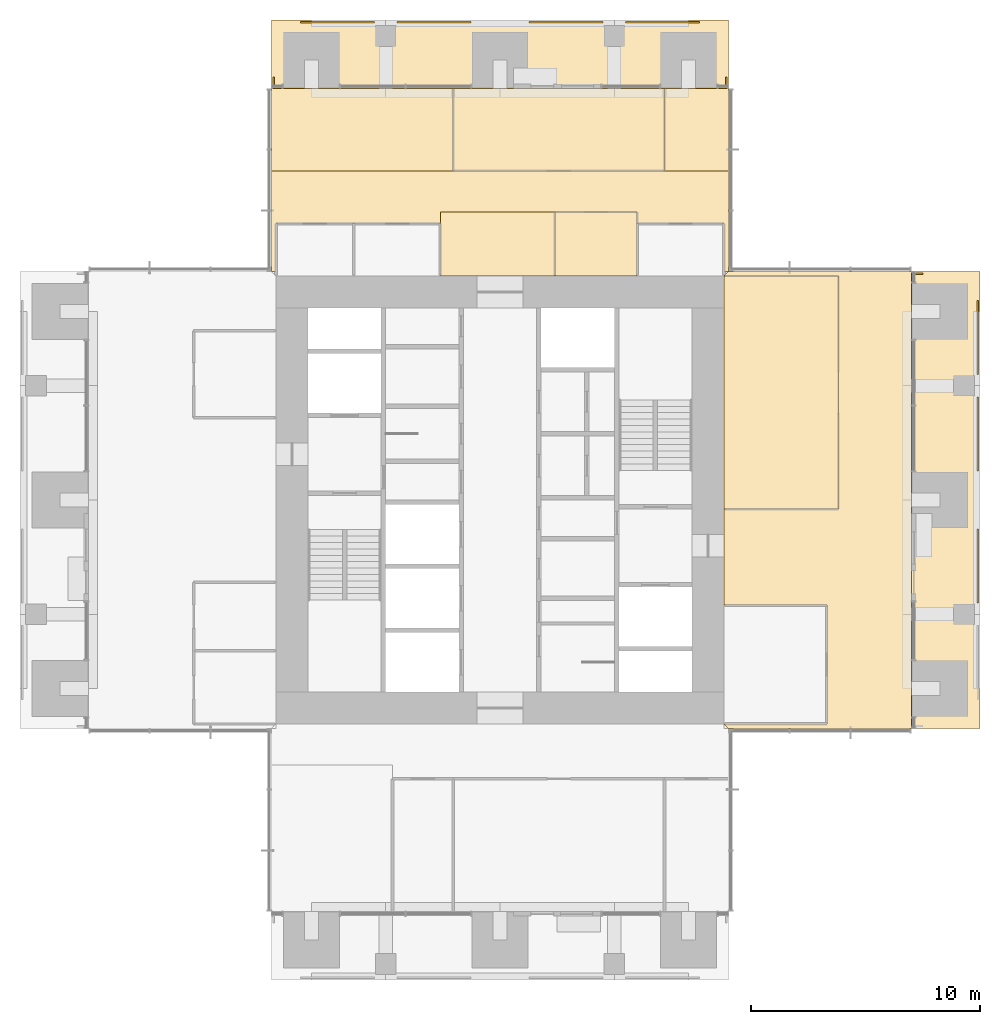
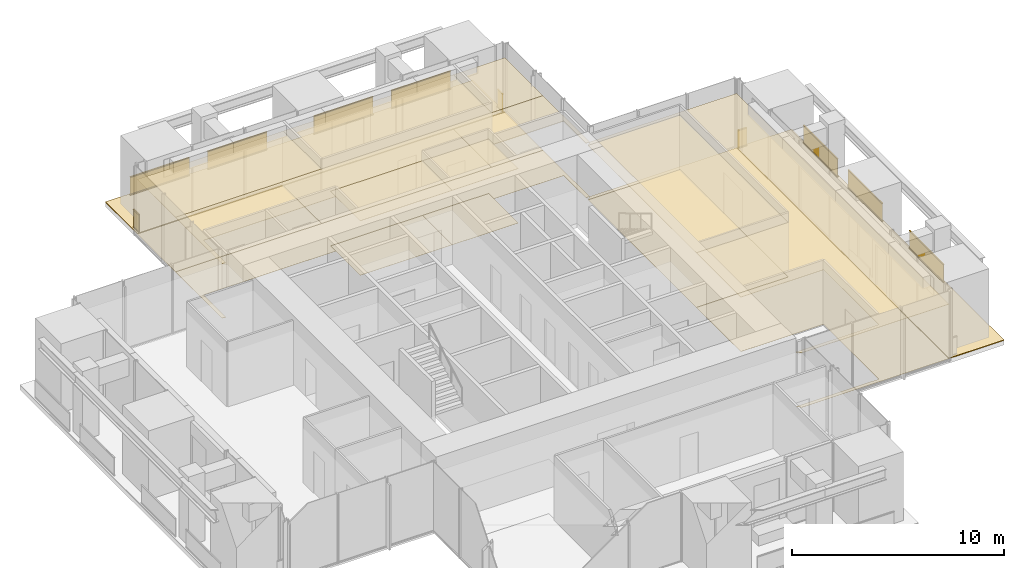
# One storey, part 16 of 17: 18 coverings, 10 railings.
"""IFC4 building model written with IfcOpenShell, lengths in metres."""

import ifcopenshell
import ifcopenshell.guid

model = None  # the IFC model being written
_history = None  # IfcOwnerHistory: only IFC2X3 demands one
_inside = {}  # id of a spatial element -> (the spatial element, [elements in it])
_under = {}  # id of a project, library or spatial element -> (it, [spatial elements below it])
_declared = {}  # id of a project -> (the project, [libraries it declares])
_typed = {}  # id of a type object -> (the type object, [elements of that type])
_made_of = {}  # id of a material, layer set ... -> (it, [elements and type objects made of it])


def new_model(schema):
    """Start an empty IFC model of exactly this schema.

    Asked for "IFC4X3", IfcOpenShell would pick the latest addendum, in which some entities
    have other attributes; the version numbers below select the first issue.
    IFC2X3 requires an IfcOwnerHistory on every rooted entity: one is made here for all.
    """
    global model, _history
    if schema == "IFC4X3":
        model = ifcopenshell.file(schema_version=(4, 3, 0, 0))
    else:
        model = ifcopenshell.file(schema=schema)
    _inside.clear()
    _under.clear()
    _declared.clear()
    _typed.clear()
    _made_of.clear()
    _history = None
    if model.schema == "IFC2X3":
        org = make("IfcOrganization", Name="unknown")
        user = make(
            "IfcPersonAndOrganization",
            ThePerson=make("IfcPerson", FamilyName="unknown"),
            TheOrganization=org,
        )
        app = make(
            "IfcApplication",
            ApplicationDeveloper=org,
            Version="unknown",
            ApplicationFullName="unknown",
            ApplicationIdentifier="unknown",
        )
        _history = make(
            "IfcOwnerHistory",
            OwningUser=user,
            OwningApplication=app,
            ChangeAction="ADDED",
            CreationDate=0,
        )
    return model


def make(cls, **values):
    """One entity of the class cls with the attributes given. An attribute that is None is left unset."""
    return model.create_entity(
        cls, **{name: value for name, value in values.items() if value is not None}
    )


def rooted(cls, **values):
    """An entity with a GlobalId (a new one), such as an element, a storey or a relation."""
    return make(cls, GlobalId=ifcopenshell.guid.new(), OwnerHistory=_history, **values)


def si_unit(unit_type, name, prefix=None):
    """IfcSIUnit, for example si_unit("LENGTHUNIT", "METRE", prefix="MILLI")."""
    return make("IfcSIUnit", UnitType=unit_type, Prefix=prefix, Name=name)


def assignment(units):
    """IfcUnitAssignment: the units of a project."""
    return None if units is None else make("IfcUnitAssignment", Units=units)


def point(xyz):
    """IfcCartesianPoint."""
    return None if xyz is None else make("IfcCartesianPoint", Coordinates=xyz)


def direction(xyz):
    """IfcDirection."""
    return None if xyz is None else make("IfcDirection", DirectionRatios=xyz)


def frame(location, z_axis=None, x_axis=None):
    """IfcAxis2Placement3D, a coordinate frame: its origin and axes. An axis left out is left unset."""
    return make(
        "IfcAxis2Placement3D",
        Location=point(location),
        Axis=direction(z_axis),
        RefDirection=direction(x_axis),
    )


def frame_2d(location, x_axis=None):
    """IfcAxis2Placement2D, a coordinate frame in the plane: its origin and x axis."""
    return make(
        "IfcAxis2Placement2D", Location=point(location), RefDirection=direction(x_axis)
    )


def origin():
    """The frame at (0, 0, 0) with its axes left unset."""
    return frame((0.0, 0.0, 0.0))


def origin_2d():
    """The frame at (0, 0) in the plane with its x axis left unset."""
    return frame_2d((0.0, 0.0))


def place(relative_to, where):
    """IfcLocalPlacement: puts the frame where relative to a parent placement (None: the world)."""
    return make(
        "IfcLocalPlacement", PlacementRelTo=relative_to, RelativePlacement=where
    )


def context(
    kind, dimensions, precision=None, world=None, true_north=None, identifier=None
):
    """IfcGeometricRepresentationContext, for example the 3D "Model" context."""
    return make(
        "IfcGeometricRepresentationContext",
        ContextIdentifier=identifier,
        ContextType=kind,
        CoordinateSpaceDimension=dimensions,
        Precision=precision,
        WorldCoordinateSystem=world,
        TrueNorth=true_north,
    )


def subcontext(parent, identifier, kind, view, scale=None):
    """IfcGeometricRepresentationSubContext, for example "Body" below "Model"."""
    return make(
        "IfcGeometricRepresentationSubContext",
        ContextIdentifier=identifier,
        ContextType=kind,
        ParentContext=parent,
        TargetScale=scale,
        TargetView=view,
    )


def project(units=None, contexts=None):
    """IfcProject with its units and contexts."""
    return rooted(
        "IfcProject",
        Name="project",
        RepresentationContexts=contexts,
        UnitsInContext=assignment(units),
    )


def spatial(cls, under=None, at=None, **own):
    """A site, building, storey or space (cls), placed at a placement, below another one or the project."""
    s = rooted(cls, ObjectPlacement=at, **own)
    if under is not None:
        _under.setdefault(under.id(), (under, []))[1].append(s)
    return s


def polyline(points):
    """IfcPolyline through the points."""
    return make("IfcPolyline", Points=[point(p) for p in points])


def profile(cls, at=None, kind="AREA", **sizes):
    """A parametric profile (cls). Its sizes go by their IFC names, for example OverallWidth=200.0."""
    return make(cls, ProfileType=kind, Position=at, **sizes)


def rectangle(**sizes):
    """IfcRectangleProfileDef."""
    return profile("IfcRectangleProfileDef", **sizes)


def outline(outer, holes=None, kind="AREA"):
    """IfcArbitraryClosedProfileDef: a profile drawn as a closed curve; with holes, ...WithVoids."""
    if holes is None:
        return make("IfcArbitraryClosedProfileDef", ProfileType=kind, OuterCurve=outer)
    return make(
        "IfcArbitraryProfileDefWithVoids",
        ProfileType=kind,
        OuterCurve=outer,
        InnerCurves=holes,
    )


def extrude(swept, where, along, depth):
    """IfcExtrudedAreaSolid: the profile swept, set in the frame where, extruded along a direction by depth."""
    return make(
        "IfcExtrudedAreaSolid",
        SweptArea=swept,
        Position=where,
        ExtrudedDirection=direction(along),
        Depth=depth,
    )


def shape(context_of_items, identifier, shape_type, items):
    """IfcShapeRepresentation: the items that make up one representation, for example the "Body"."""
    return make(
        "IfcShapeRepresentation",
        ContextOfItems=context_of_items,
        RepresentationIdentifier=identifier,
        RepresentationType=shape_type,
        Items=items,
    )


def material(Name=None, Category=None):
    """IfcMaterial."""
    return make("IfcMaterial", Name=Name, Category=Category)


def layer(
    of_material, thickness, ventilated=None, Name=None, Category=None, Priority=None
):
    """IfcMaterialLayer: one layer of a wall or slab, of a material (None: an air gap)."""
    return make(
        "IfcMaterialLayer",
        Material=of_material,
        LayerThickness=thickness,
        IsVentilated=ventilated,
        Name=Name,
        Category=Category,
        Priority=Priority,
    )


def layer_set(layers, Name=None):
    """IfcMaterialLayerSet."""
    return make("IfcMaterialLayerSet", MaterialLayers=layers, LayerSetName=Name)


def made_of(thing, what):
    """Note that an element or type object is made of a material, layer set ...; save() writes the relation."""
    if what is not None:
        _made_of.setdefault(what.id(), (what, []))[1].append(thing)
    return thing


def type_object(cls, material=None, **own):
    """A type object (cls), such as IfcWallType, which elements share."""
    return made_of(rooted(cls, **own), material)


def element(
    cls,
    number,
    at=None,
    inside=None,
    cuts=None,
    type_object=None,
    material=None,
    context=None,
    identifier="Body",
    shape_type=None,
    held_by="IfcProductDefinitionShape",
    body=None,
    shapes=None,
    **own,
):
    """One element of the class cls, such as IfcWall. Its Tag is "e" and its number.

    at: its placement. inside: the storey or other place that contains it. cuts: it is an
    opening in that element (IfcRelVoidsElement). A single representation is given by context,
    identifier, shape_type and body (its items); several are given by shapes. held_by: the class
    of the entity that holds the representations. save() writes the other relations.
    """
    e = rooted(cls, Tag="e%d" % number, ObjectPlacement=at, **own)
    if body is not None:
        shapes = [shape(context, identifier, shape_type, body)]
    if shapes is not None:
        e.Representation = make(held_by, Representations=shapes)
    if inside is not None:
        _inside.setdefault(inside.id(), (inside, []))[1].append(e)
    if cuts is not None:
        rooted(
            "IfcRelVoidsElement", RelatingBuildingElement=cuts, RelatedOpeningElement=e
        )
    if type_object is not None:
        _typed.setdefault(type_object.id(), (type_object, []))[1].append(e)
    return made_of(e, material)


def aggregate(whole, parts):
    """IfcRelAggregates: a whole, such as a stair, and the parts it consists of."""
    return rooted("IfcRelAggregates", RelatingObject=whole, RelatedObjects=parts)


def save(model, path):
    """Write the relations noted so far, then the file.

    IfcRelAggregates (storeys below a building ...), IfcRelContainedInSpatialStructure (elements
    in a storey), IfcRelDefinesByType, IfcRelAssociatesMaterial and IfcRelDeclares: one each for
    every whole, place, type object, material and project.
    """
    for whole, parts in _under.values():
        aggregate(whole, parts)
    for where, things in _inside.values():
        rooted(
            "IfcRelContainedInSpatialStructure",
            RelatedElements=things,
            RelatingStructure=where,
        )
    for kind, things in _typed.values():
        rooted("IfcRelDefinesByType", RelatedObjects=things, RelatingType=kind)
    for what, things in _made_of.values():
        rooted("IfcRelAssociatesMaterial", RelatedObjects=things, RelatingMaterial=what)
    for by, libraries in _declared.values():
        rooted("IfcRelDeclares", RelatingContext=by, RelatedDefinitions=libraries)
    model.write(path)


model = new_model("IFC4")

# Units and contexts
model_context = context("Model", 3, precision=1e-05, world=origin(), true_north=direction((0.0, 1.0)))
body_context = subcontext(model_context, "Body", "Model", "MODEL_VIEW")
ifc_project = project(units=[si_unit("LENGTHUNIT", "METRE"), si_unit("AREAUNIT", "SQUARE_METRE"), si_unit("VOLUMEUNIT", "CUBIC_METRE"), si_unit("PLANEANGLEUNIT", "RADIAN"), si_unit("MASSUNIT", "GRAM", prefix="KILO")], contexts=[model_context])

# Site, building, storey
site_placement = place(None, origin())
site = spatial("IfcSite", under=ifc_project, at=site_placement, CompositionType="ELEMENT")
building_placement = place(site_placement, origin())
building = spatial("IfcBuilding", under=site, at=building_placement, Name="Svetlomir Tower", CompositionType="ELEMENT")
storey_placement = place(building_placement, frame((0.0, 0.0, 218.5)))
storey = spatial("IfcBuildingStorey", under=building, at=storey_placement, Name="L52", CompositionType="ELEMENT", Elevation=218.5)

# Railings
ifc_material_1 = material(Name="Bronze anodised aluminium and laminated glass", Category="aluminium")
railing_type = type_object("IfcRailingType", Name="BALCONY GUARD GR1 1100", PredefinedType="GUARDRAIL", material=ifc_material_1)
for number, where, name in (
    (1, (41.89990234375, 16.5, 0.0), "Loggia guard E L52 bay 2"),
    (2, (41.89990234375, 22.27490234375, 0.0), "Loggia guard E L52 bay 3"),
    (3, (41.89990234375, 26.5, 0.0), "Loggia guard E L52 bay 4"),
):
    element("IfcRailing", number, at=place(storey_placement, frame(where)), inside=storey, type_object=railing_type, Name=name, PredefinedType="GUARDRAIL", context=body_context, shape_type="SweptSolid", body=[
        extrude(rectangle(XDim=0.06005859375, YDim=0.10009765625, at=origin_2d()), frame((0.0, 0.0, 0.050048828125), z_axis=(0.0, 1.0, 0.0), x_axis=(-1.0, 0.0, 0.0)), (0.0, 0.0, 1.0), 3.22509765625),
        extrude(rectangle(XDim=0.021484375, YDim=0.960205078125, at=origin_2d()), frame((0.0, 0.0, 0.580078125), z_axis=(0.0, 1.0, 0.0), x_axis=(-1.0, 0.0, 0.0)), (0.0, 0.0, 1.0), 3.22509765625),
        extrude(rectangle(XDim=0.06005859375, YDim=0.0400390625, at=origin_2d()), frame((0.0, 0.0, 1.080078125), z_axis=(0.0, 1.0, 0.0), x_axis=(-1.0, 0.0, 0.0)), (0.0, 0.0, 1.0), 3.22509765625),
    ])
railing_placement = place(storey_placement, frame((39.5, 30.89990234375, 0.0)))
element("IfcRailing", 4, at=railing_placement, inside=storey, type_object=railing_type, Name="Loggia guard E L52 end 2", PredefinedType="GUARDRAIL", context=body_context, shape_type="SweptSolid", body=[
    extrude(rectangle(XDim=0.06005859375, YDim=0.10009765625, at=origin_2d()), frame((0.0, 0.0, 0.050048828125), z_axis=(-1.0, 0.0, 0.0), x_axis=(0.0, -1.0, 0.0)), (0.0, 0.0, 1.0), 0.5),
    extrude(rectangle(XDim=0.021484375, YDim=0.960205078125, at=origin_2d()), frame((0.0, 0.0, 0.580078125), z_axis=(-1.0, 0.0, 0.0), x_axis=(0.0, -1.0, 0.0)), (0.0, 0.0, 1.0), 0.5),
    extrude(rectangle(XDim=0.06005859375, YDim=0.0400390625, at=origin_2d()), frame((0.0, 0.0, 1.080078125), z_axis=(-1.0, 0.0, 0.0), x_axis=(0.0, -1.0, 0.0)), (0.0, 0.0, 1.0), 0.5),
])
for number, where, name in (
    (5, (12.27490234375, 41.89990234375, 0.0), "Loggia guard N L52 bay 1"),
    (6, (16.5, 41.89990234375, 0.0), "Loggia guard N L52 bay 2"),
    (7, (22.27490234375, 41.89990234375, 0.0), "Loggia guard N L52 bay 3"),
    (8, (26.5, 41.89990234375, 0.0), "Loggia guard N L52 bay 4"),
):
    element("IfcRailing", number, at=place(storey_placement, frame(where)), inside=storey, type_object=railing_type, Name=name, PredefinedType="GUARDRAIL", context=body_context, shape_type="SweptSolid", body=[
        extrude(rectangle(XDim=0.06005859375, YDim=0.10009765625, at=origin_2d()), frame((0.0, 0.0, 0.050048828125), z_axis=(1.0, 0.0, 0.0), x_axis=(0.0, 1.0, 0.0)), (0.0, 0.0, 1.0), 3.22509765625),
        extrude(rectangle(XDim=0.021484375, YDim=0.960205078125, at=origin_2d()), frame((0.0, 0.0, 0.580078125), z_axis=(1.0, 0.0, 0.0), x_axis=(0.0, 1.0, 0.0)), (0.0, 0.0, 1.0), 3.22509765625),
        extrude(rectangle(XDim=0.06005859375, YDim=0.0400390625, at=origin_2d()), frame((0.0, 0.0, 1.080078125), z_axis=(1.0, 0.0, 0.0), x_axis=(0.0, 1.0, 0.0)), (0.0, 0.0, 1.0), 3.22509765625),
    ])
for number, where, name in (
    (9, (11.10009765625, 39.5, 0.0), "Loggia guard N L52 end 1"),
    (10, (30.89990234375, 39.5, 0.0), "Loggia guard N L52 end 2"),
):
    element("IfcRailing", number, at=place(storey_placement, frame(where)), inside=storey, type_object=railing_type, Name=name, PredefinedType="GUARDRAIL", context=body_context, shape_type="SweptSolid", body=[
        extrude(rectangle(XDim=0.06005859375, YDim=0.10009765625, at=origin_2d()), frame((0.0, 0.0, 0.050048828125), z_axis=(0.0, -1.0, 0.0), x_axis=(1.0, 0.0, 0.0)), (0.0, 0.0, 1.0), 0.5),
        extrude(rectangle(XDim=0.021484375, YDim=0.960205078125, at=origin_2d()), frame((0.0, 0.0, 0.580078125), z_axis=(0.0, -1.0, 0.0), x_axis=(1.0, 0.0, 0.0)), (0.0, 0.0, 1.0), 0.5),
        extrude(rectangle(XDim=0.06005859375, YDim=0.0400390625, at=origin_2d()), frame((0.0, 0.0, 1.080078125), z_axis=(0.0, -1.0, 0.0), x_axis=(1.0, 0.0, 0.0)), (0.0, 0.0, 1.0), 0.5),
    ])

# Coverings
ifc_material_2 = material(Name="Granite paving slabs on pedestals", Category="masonry")
ifc_layer_1 = layer(ifc_material_2, 0.0400390625)
ifc_layer_set_1 = layer_set([ifc_layer_1], Name="Granite paving slabs on pedestals")
covering_type_1 = type_object("IfcCoveringType", Name="BALCONY PAVING 40", PredefinedType="USERDEFINED", material=ifc_layer_set_1)
covering_1_placement = place(storey_placement, origin())
element("IfcCovering", 11, at=covering_1_placement, inside=storey, type_object=covering_type_1, Name="Loggia paving E L52", ObjectType="BALCONY PAVING", PredefinedType="USERDEFINED", context=body_context, shape_type="SweptSolid", body=[
    extrude(outline(polyline([(39.0, 11.0), (42.0, 11.0), (42.0, 31.0), (39.0, 31.0), (39.0, 11.0)])), origin(), (0.0, 0.0, 1.0), 0.0400390625),
])
covering_2_placement = place(storey_placement, origin())
element("IfcCovering", 12, at=covering_2_placement, inside=storey, type_object=covering_type_1, Name="Loggia paving N L52", ObjectType="BALCONY PAVING", PredefinedType="USERDEFINED", context=body_context, shape_type="SweptSolid", body=[
    extrude(outline(polyline([(11.0, 39.0), (31.0, 39.0), (31.0, 42.0), (11.0, 42.0), (11.0, 39.0)])), origin(), (0.0, 0.0, 1.0), 0.0400390625),
])
ifc_material_3 = material(Name="Carpet tile", Category="textile")
ifc_layer_2 = layer(ifc_material_3, 0.010009765625)
ifc_layer_set_2 = layer_set([ifc_layer_2], Name="Carpet tile")
covering_type_2 = type_object("IfcCoveringType", Name="CARPET TILE FLOOR 10", PredefinedType="FLOORING", material=ifc_layer_set_2)
covering_3_placement = place(storey_placement, origin())
element("IfcCovering", 13, at=covering_3_placement, inside=storey, type_object=covering_type_2, Name="Floor finish L52-22", PredefinedType="FLOORING", context=body_context, shape_type="SweptSolid", body=[
    extrude(outline(polyline([(30.800048828125, 20.60009765625), (35.800048828125, 20.60009765625), (35.800048828125, 30.800048828125), (30.800048828125, 30.800048828125), (30.800048828125, 20.60009765625)])), origin(), (0.0, 0.0, 1.0), 0.010009765625),
])
covering_4_placement = place(storey_placement, origin())
element("IfcCovering", 14, at=covering_4_placement, inside=storey, type_object=covering_type_2, Name="Floor finish L52-25", PredefinedType="FLOORING", context=body_context, shape_type="SweptSolid", body=[
    extrude(outline(polyline([(23.39990234375, 30.800048828125), (27.0, 30.800048828125), (27.0, 33.60009765625), (23.39990234375, 33.60009765625), (23.39990234375, 30.800048828125)])), origin(), (0.0, 0.0, 1.0), 0.010009765625),
])
covering_5_placement = place(storey_placement, origin())
element("IfcCovering", 15, at=covering_5_placement, inside=storey, type_object=covering_type_2, Name="Floor finish L52-27", PredefinedType="FLOORING", context=body_context, shape_type="SweptSolid", body=[
    extrude(outline(polyline([(18.949951171875, 35.39990234375), (28.199951171875, 35.39990234375), (28.199951171875, 39.0), (18.949951171875, 39.0), (18.949951171875, 35.39990234375)])), origin(), (0.0, 0.0, 1.0), 0.010009765625),
])
covering_6_placement = place(storey_placement, origin())
element("IfcCovering", 16, at=covering_6_placement, inside=storey, type_object=covering_type_2, Name="Floor finish L52-32", PredefinedType="FLOORING", context=body_context, shape_type="SweptSolid", body=[
    extrude(outline(polyline([(18.39990234375, 33.60009765625), (18.39990234375, 33.10009765625), (11.199951171875, 33.10009765625), (11.199951171875, 31.0), (11.0, 31.0), (11.0, 35.39990234375), (31.0, 35.39990234375), (31.0, 31.0), (30.800048828125, 31.0), (30.800048828125, 33.10009765625), (27.0, 33.10009765625), (27.0, 33.60009765625), (18.39990234375, 33.60009765625)])), origin(), (0.0, 0.0, 1.0), 0.010009765625),
])
covering_7_placement = place(storey_placement, origin())
element("IfcCovering", 17, at=covering_7_placement, inside=storey, type_object=covering_type_2, Name="Floor finish L52-34", PredefinedType="FLOORING", context=body_context, shape_type="SweptSolid", body=[
    extrude(outline(polyline([(30.800048828125, 30.800048828125), (31.0, 31.0), (39.0, 31.0), (39.0, 11.0), (31.0, 11.0), (30.800048828125, 11.199951171875), (35.300048828125, 11.199951171875), (35.300048828125, 16.39990234375), (30.800048828125, 16.39990234375), (30.800048828125, 20.60009765625), (35.800048828125, 20.60009765625), (35.800048828125, 30.800048828125), (30.800048828125, 30.800048828125)])), origin(), (0.0, 0.0, 1.0), 0.010009765625),
])
covering_8_placement = place(storey_placement, origin())
element("IfcCovering", 18, at=covering_8_placement, inside=storey, type_object=covering_type_2, Name="Floor finish L52-35", PredefinedType="FLOORING", context=body_context, shape_type="SweptSolid", body=[
    extrude(outline(polyline([(18.39990234375, 30.800048828125), (18.39990234375, 33.60009765625), (23.39990234375, 33.60009765625), (23.39990234375, 30.800048828125), (18.39990234375, 30.800048828125)])), origin(), (0.0, 0.0, 1.0), 0.010009765625),
])
covering_9_placement = place(storey_placement, origin())
element("IfcCovering", 19, at=covering_9_placement, inside=storey, type_object=covering_type_2, Name="Floor finish L52-36", PredefinedType="FLOORING", context=body_context, shape_type="SweptSolid", body=[
    extrude(outline(polyline([(18.949951171875, 39.0), (18.949951171875, 35.39990234375), (11.0, 35.39990234375), (11.0, 39.0), (18.949951171875, 39.0)])), origin(), (0.0, 0.0, 1.0), 0.010009765625),
])
covering_10_placement = place(storey_placement, origin())
element("IfcCovering", 20, at=covering_10_placement, inside=storey, type_object=covering_type_2, Name="Floor finish L52-37", PredefinedType="FLOORING", context=body_context, shape_type="SweptSolid", body=[
    extrude(outline(polyline([(31.0, 39.0), (31.0, 35.39990234375), (28.199951171875, 35.39990234375), (28.199951171875, 39.0), (31.0, 39.0)])), origin(), (0.0, 0.0, 1.0), 0.010009765625),
])
ifc_material_4 = material(Name="Mineral fibre ceiling tile", Category="mineral")
ifc_layer_3 = layer(ifc_material_4, 0.02001953125)
ifc_layer_set_3 = layer_set([ifc_layer_3], Name="Mineral fibre ceiling tile")
covering_type_3 = type_object("IfcCoveringType", Name="SUSPENDED CEILING 20", PredefinedType="CEILING", material=ifc_layer_set_3)
covering_11_placement = place(storey_placement, frame((0.0, 0.0, 3.1298828125)))
element("IfcCovering", 21, at=covering_11_placement, inside=storey, type_object=covering_type_3, Name="Ceiling L52-22", PredefinedType="CEILING", context=body_context, shape_type="SweptSolid", body=[
    extrude(outline(polyline([(30.800048828125, 20.60009765625), (35.800048828125, 20.60009765625), (35.800048828125, 30.800048828125), (30.800048828125, 30.800048828125), (30.800048828125, 20.60009765625)])), origin(), (0.0, 0.0, 1.0), 0.02001953125),
])
covering_12_placement = place(storey_placement, frame((0.0, 0.0, 3.1298828125)))
element("IfcCovering", 22, at=covering_12_placement, inside=storey, type_object=covering_type_3, Name="Ceiling L52-25", PredefinedType="CEILING", context=body_context, shape_type="SweptSolid", body=[
    extrude(outline(polyline([(23.39990234375, 30.800048828125), (27.0, 30.800048828125), (27.0, 33.60009765625), (23.39990234375, 33.60009765625), (23.39990234375, 30.800048828125)])), origin(), (0.0, 0.0, 1.0), 0.02001953125),
])
covering_13_placement = place(storey_placement, frame((0.0, 0.0, 3.1298828125)))
element("IfcCovering", 23, at=covering_13_placement, inside=storey, type_object=covering_type_3, Name="Ceiling L52-27", PredefinedType="CEILING", context=body_context, shape_type="SweptSolid", body=[
    extrude(outline(polyline([(18.949951171875, 35.39990234375), (28.199951171875, 35.39990234375), (28.199951171875, 39.0), (18.949951171875, 39.0), (18.949951171875, 35.39990234375)])), origin(), (0.0, 0.0, 1.0), 0.02001953125),
])
covering_14_placement = place(storey_placement, frame((0.0, 0.0, 3.1298828125)))
element("IfcCovering", 24, at=covering_14_placement, inside=storey, type_object=covering_type_3, Name="Ceiling L52-32", PredefinedType="CEILING", context=body_context, shape_type="SweptSolid", body=[
    extrude(outline(polyline([(18.39990234375, 33.60009765625), (18.39990234375, 33.10009765625), (11.199951171875, 33.10009765625), (11.199951171875, 31.0), (11.0, 31.0), (11.0, 35.39990234375), (31.0, 35.39990234375), (31.0, 31.0), (30.800048828125, 31.0), (30.800048828125, 33.10009765625), (27.0, 33.10009765625), (27.0, 33.60009765625), (18.39990234375, 33.60009765625)])), origin(), (0.0, 0.0, 1.0), 0.02001953125),
])
covering_15_placement = place(storey_placement, frame((0.0, 0.0, 3.1298828125)))
element("IfcCovering", 25, at=covering_15_placement, inside=storey, type_object=covering_type_3, Name="Ceiling L52-34", PredefinedType="CEILING", context=body_context, shape_type="SweptSolid", body=[
    extrude(outline(polyline([(30.800048828125, 30.800048828125), (31.0, 31.0), (39.0, 31.0), (39.0, 11.0), (31.0, 11.0), (30.800048828125, 11.199951171875), (35.300048828125, 11.199951171875), (35.300048828125, 16.39990234375), (30.800048828125, 16.39990234375), (30.800048828125, 20.60009765625), (35.800048828125, 20.60009765625), (35.800048828125, 30.800048828125), (30.800048828125, 30.800048828125)])), origin(), (0.0, 0.0, 1.0), 0.02001953125),
])
covering_16_placement = place(storey_placement, frame((0.0, 0.0, 3.1298828125)))
element("IfcCovering", 26, at=covering_16_placement, inside=storey, type_object=covering_type_3, Name="Ceiling L52-35", PredefinedType="CEILING", context=body_context, shape_type="SweptSolid", body=[
    extrude(outline(polyline([(18.39990234375, 30.800048828125), (18.39990234375, 33.60009765625), (23.39990234375, 33.60009765625), (23.39990234375, 30.800048828125), (18.39990234375, 30.800048828125)])), origin(), (0.0, 0.0, 1.0), 0.02001953125),
])
covering_17_placement = place(storey_placement, frame((0.0, 0.0, 3.1298828125)))
element("IfcCovering", 27, at=covering_17_placement, inside=storey, type_object=covering_type_3, Name="Ceiling L52-36", PredefinedType="CEILING", context=body_context, shape_type="SweptSolid", body=[
    extrude(outline(polyline([(18.949951171875, 39.0), (18.949951171875, 35.39990234375), (11.0, 35.39990234375), (11.0, 39.0), (18.949951171875, 39.0)])), origin(), (0.0, 0.0, 1.0), 0.02001953125),
])
covering_18_placement = place(storey_placement, frame((0.0, 0.0, 3.1298828125)))
element("IfcCovering", 28, at=covering_18_placement, inside=storey, type_object=covering_type_3, Name="Ceiling L52-37", PredefinedType="CEILING", context=body_context, shape_type="SweptSolid", body=[
    extrude(outline(polyline([(31.0, 39.0), (31.0, 35.39990234375), (28.199951171875, 35.39990234375), (28.199951171875, 39.0), (31.0, 39.0)])), origin(), (0.0, 0.0, 1.0), 0.02001953125),
])

save(model, "model.ifc")
